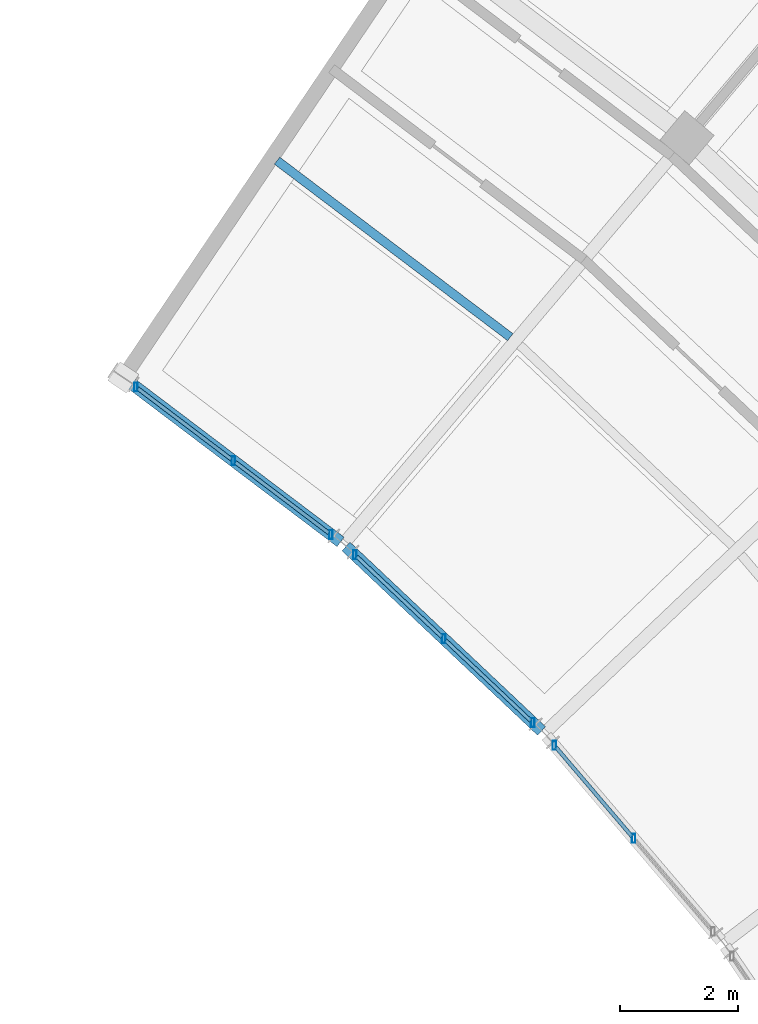
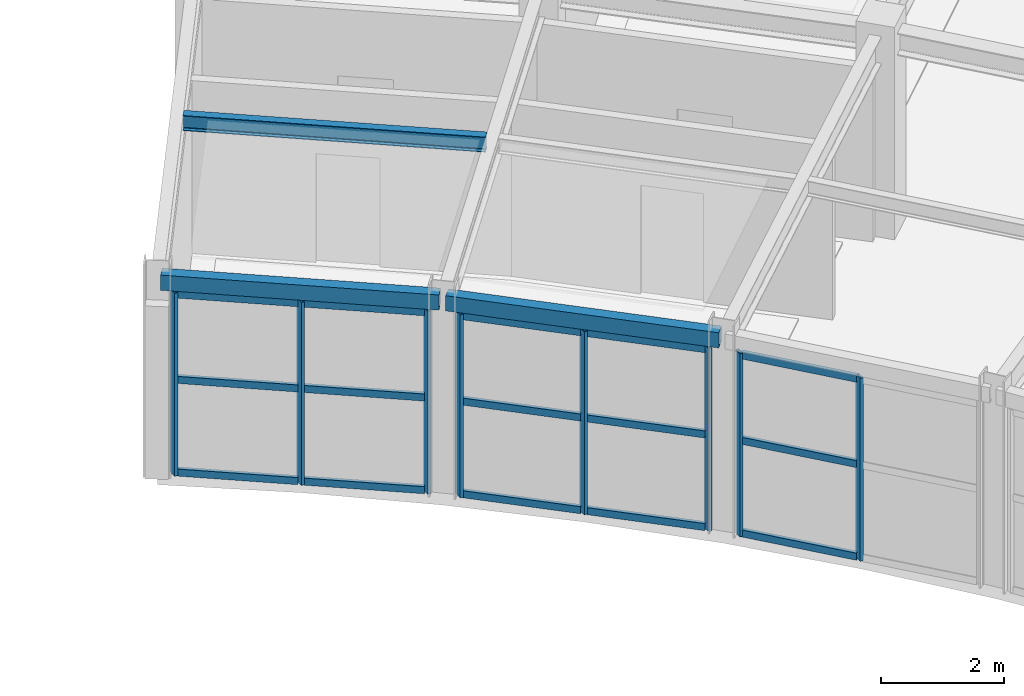
# One storey, part 8 of 29: 23 members, 3 beams, 3 elements without a shape of their own.
"""IFC4 building model written with IfcOpenShell, lengths in metres."""

from ifc_helpers import new_model, si_unit, direction, frame, origin, origin_2d, place, context, subcontext, project, spatial, hollow_rectangle, i_section, extrude, material, material_profile, profile_set, type_object, element, aggregate, save


model = new_model("IFC4")

# Units and contexts
model_context = context("Model", 3, precision=1e-05, world=origin(), true_north=direction((0.0, 1.0)))
body_context = subcontext(model_context, "Body", "Model", "MODEL_VIEW")
ifc_project = project(units=[si_unit("LENGTHUNIT", "METRE"), si_unit("AREAUNIT", "SQUARE_METRE"), si_unit("VOLUMEUNIT", "CUBIC_METRE"), si_unit("PLANEANGLEUNIT", "RADIAN"), si_unit("MASSUNIT", "GRAM", prefix="KILO")], contexts=[model_context])

# Site, building, storey
site_placement = place(None, origin())
site = spatial("IfcSite", under=ifc_project, at=site_placement, CompositionType="ELEMENT")
building_placement = place(site_placement, origin())
building = spatial("IfcBuilding", under=site, at=building_placement, Name="Tarnveldt Headland Concert Hall", CompositionType="ELEMENT")
storey_placement = place(building_placement, frame((0.0, 0.0, 18.60009765625)))
storey = spatial("IfcBuildingStorey", under=building, at=storey_placement, Name="L04", CompositionType="ELEMENT", Elevation=18.60009765625)

# Curtain wall, members
ifc_material_1 = material(Name="Marine-anodised aluminium EN AW-6063-T6", Category="aluminium")
curtain_wall_type = type_object("IfcCurtainWallType", Name="CW-C5", PredefinedType="NOTDEFINED", material=ifc_material_1)
curtain_wall_1_placement = place(storey_placement, origin())
curtain_wall_1 = element("IfcCurtainWall", 1, at=curtain_wall_1_placement, inside=storey, type_object=curtain_wall_type, Name="Curtain wall CW-L04-153", PredefinedType="NOTDEFINED")
ifc_material_profile_1 = material_profile(ifc_material_1, hollow_rectangle(XDim=0.06005859375, YDim=0.14990234375, WallThickness=0.00390625, at=origin_2d()), Name="ALU MULLION 60x150x4", Category="aluminium")
ifc_profile_set_1 = profile_set([ifc_material_profile_1], Name="Marine-anodised aluminium EN AW-6063-T6")
member_type_1 = type_object("IfcMemberType", Name="ML-150", PredefinedType="MULLION", material=ifc_profile_set_1)
member_1_placement = place(storey_placement, frame((150.17626953125, 87.853515625, 0.0), z_axis=(0.0, 0.0, 1.0), x_axis=(1.0, 0.0, 0.0)))
member_1 = element("IfcMember", 2, at=member_1_placement, type_object=member_type_1, Name="Mullion CW-L04-153-2", PredefinedType="MULLION", context=body_context, shape_type="SweptSolid", body=[
    extrude(hollow_rectangle(XDim=0.06005859375, YDim=0.14990234375, WallThickness=0.00390625, at=origin_2d()), origin(), (0.0, 0.0, 1.0), 3.619873046875),
])
member_2_placement = place(storey_placement, frame((148.834228515625, 89.427734375, 0.0), z_axis=(0.0, 0.0, 1.0), x_axis=(1.0, 0.0, 0.0)))
member_2 = element("IfcMember", 3, at=member_2_placement, type_object=member_type_1, Name="Mullion CW-L04-153-3", PredefinedType="MULLION", context=body_context, shape_type="SweptSolid", body=[
    extrude(hollow_rectangle(XDim=0.06005859375, YDim=0.14990234375, WallThickness=0.00390625, at=origin_2d()), origin(), (0.0, 0.0, 1.0), 3.619873046875),
])

curtain_wall_2_placement = place(storey_placement, origin())
curtain_wall_2 = element("IfcCurtainWall", 4, at=curtain_wall_2_placement, inside=storey, type_object=curtain_wall_type, Name="Curtain wall CW-L04-154", PredefinedType="NOTDEFINED")
member_3_placement = place(storey_placement, frame((148.469482421875, 89.811279296875, 0.0), z_axis=(0.0, 0.0, 1.0), x_axis=(1.0, 0.0, 0.0)))
member_3 = element("IfcMember", 5, at=member_3_placement, type_object=member_type_1, Name="Mullion CW-L04-154-1", PredefinedType="MULLION", context=body_context, shape_type="SweptSolid", body=[
    extrude(hollow_rectangle(XDim=0.06005859375, YDim=0.14990234375, WallThickness=0.00390625, at=origin_2d()), origin(), (0.0, 0.0, 1.0), 3.619873046875),
])
member_4_placement = place(storey_placement, frame((146.96484375, 91.23095703125, 0.0), z_axis=(0.0, 0.0, 1.0), x_axis=(1.0, 0.0, 0.0)))
member_4 = element("IfcMember", 6, at=member_4_placement, type_object=member_type_1, Name="Mullion CW-L04-154-2", PredefinedType="MULLION", context=body_context, shape_type="SweptSolid", body=[
    extrude(hollow_rectangle(XDim=0.06005859375, YDim=0.14990234375, WallThickness=0.00390625, at=origin_2d()), origin(), (0.0, 0.0, 1.0), 3.619873046875),
])
member_5_placement = place(storey_placement, frame((145.460205078125, 92.650634765625, 0.0), z_axis=(0.0, 0.0, 1.0), x_axis=(1.0, 0.0, 0.0)))
member_5 = element("IfcMember", 7, at=member_5_placement, type_object=member_type_1, Name="Mullion CW-L04-154-3", PredefinedType="MULLION", context=body_context, shape_type="SweptSolid", body=[
    extrude(hollow_rectangle(XDim=0.06005859375, YDim=0.14990234375, WallThickness=0.00390625, at=origin_2d()), origin(), (0.0, 0.0, 1.0), 3.619873046875),
])

curtain_wall_3_placement = place(storey_placement, origin())
curtain_wall_3 = element("IfcCurtainWall", 8, at=curtain_wall_3_placement, inside=storey, type_object=curtain_wall_type, Name="Curtain wall CW-L04-155", PredefinedType="NOTDEFINED")
member_6_placement = place(storey_placement, frame((145.05615234375, 92.992431640625, 0.0), z_axis=(0.0, 0.0, 1.0), x_axis=(1.0, 0.0, 0.0)))
member_6 = element("IfcMember", 9, at=member_6_placement, type_object=member_type_1, Name="Mullion CW-L04-155-1", PredefinedType="MULLION", context=body_context, shape_type="SweptSolid", body=[
    extrude(hollow_rectangle(XDim=0.06005859375, YDim=0.14990234375, WallThickness=0.00390625, at=origin_2d()), origin(), (0.0, 0.0, 1.0), 3.619873046875),
])
member_7_placement = place(storey_placement, frame((143.40625, 94.240478515625, 0.0), z_axis=(0.0, 0.0, 1.0), x_axis=(1.0, 0.0, 0.0)))
member_7 = element("IfcMember", 10, at=member_7_placement, type_object=member_type_1, Name="Mullion CW-L04-155-2", PredefinedType="MULLION", context=body_context, shape_type="SweptSolid", body=[
    extrude(hollow_rectangle(XDim=0.06005859375, YDim=0.14990234375, WallThickness=0.00390625, at=origin_2d()), origin(), (0.0, 0.0, 1.0), 3.619873046875),
])
member_8_placement = place(storey_placement, frame((141.756591796875, 95.48876953125, 0.0), z_axis=(0.0, 0.0, 1.0), x_axis=(1.0, 0.0, 0.0)))
member_8 = element("IfcMember", 11, at=member_8_placement, type_object=member_type_1, Name="Mullion CW-L04-155-3", PredefinedType="MULLION", context=body_context, shape_type="SweptSolid", body=[
    extrude(hollow_rectangle(XDim=0.06005859375, YDim=0.14990234375, WallThickness=0.00390625, at=origin_2d()), origin(), (0.0, 0.0, 1.0), 3.619873046875),
])

# Beams
ifc_material_2 = material(Name="Steel S355", Category="steel")
ifc_material_profile_2 = material_profile(ifc_material_2, i_section(OverallWidth=0.14990234375, OverallDepth=0.300048828125, WebThickness=0.007080078125, FlangeThickness=0.0107421875, FilletRadius=0.014892578125, at=origin_2d()), Name="IPE300", Category="steel")
ifc_profile_set_2 = profile_set([ifc_material_profile_2], Name="Steel S355")
beam_type_1 = type_object("IfcBeamType", Name="SB-IPE300", PredefinedType="JOIST", material=ifc_profile_set_2)
beam_1_placement = place(storey_placement, frame((148.089599609375, 96.331787109375, 3.829833984375), z_axis=(-0.79746351777, 0.603367166679, 0.0), x_axis=(-0.603367166679, -0.79746351777, 0.0)))
element("IfcBeam", 12, at=beam_1_placement, inside=storey, type_object=beam_type_1, Name="Framing beam L04-1416", PredefinedType="JOIST", context=body_context, shape_type="SweptSolid", body=[
    extrude(i_section(OverallWidth=0.14990234375, OverallDepth=0.300048828125, WebThickness=0.007080078125, FlangeThickness=0.0107421875, FilletRadius=0.014892578125, at=origin_2d()), origin(), (0.0, 0.0, 1.0), 4.94580078125),
])
ifc_material_profile_3 = material_profile(ifc_material_2, hollow_rectangle(XDim=0.199951171875, YDim=0.300048828125, WallThickness=0.012451171875, at=origin_2d()), Name="RHS 300x200x12.5", Category="steel")
ifc_profile_set_3 = profile_set([ifc_material_profile_3], Name="Steel S355")
beam_type_2 = type_object("IfcBeamType", Name="SB-RHS300", PredefinedType="SPANDREL", material=ifc_profile_set_3)
beam_2_placement = place(storey_placement, frame((148.618896484375, 89.670654296875, 3.829833984375), z_axis=(-0.72739567497, 0.686218283081, 0.0), x_axis=(-0.686218283081, -0.72739567497, 0.0)))
element("IfcBeam", 13, at=beam_2_placement, inside=storey, type_object=beam_type_2, Name="Framing beam L04-1406", PredefinedType="SPANDREL", context=body_context, shape_type="SweptSolid", body=[
    extrude(hollow_rectangle(XDim=0.199951171875, YDim=0.300048828125, WallThickness=0.012451171875, at=origin_2d()), origin(), (0.0, 0.0, 1.0), 4.547607421875),
])
beam_3_placement = place(storey_placement, frame((145.219482421875, 92.86865234375, 3.829833984375), z_axis=(-0.797480390637, 0.603344865355, 0.0), x_axis=(-0.603344865355, -0.797480390637, 0.0)))
element("IfcBeam", 14, at=beam_3_placement, inside=storey, type_object=beam_type_2, Name="Framing beam L04-1413", PredefinedType="SPANDREL", context=body_context, shape_type="SweptSolid", body=[
    extrude(hollow_rectangle(XDim=0.199951171875, YDim=0.300048828125, WallThickness=0.012451171875, at=origin_2d()), origin(), (0.0, 0.0, 1.0), 4.54736328125),
])

# Member
ifc_material_profile_4 = material_profile(ifc_material_1, hollow_rectangle(XDim=0.06494140625, YDim=0.139892578125, WallThickness=0.00390625, at=origin_2d()), Name="ALU TRANSOM 65x140x4", Category="aluminium")
ifc_profile_set_4 = profile_set([ifc_material_profile_4], Name="Marine-anodised aluminium EN AW-6063-T6")
member_type_2 = type_object("IfcMemberType", Name="TR-140", PredefinedType="MEMBER", material=ifc_profile_set_4)
member_9_placement = place(storey_placement, frame((150.149169921875, 87.885498046875, 0.0498046875), z_axis=(-0.648783227656, 0.760973273849, 0.0), x_axis=(-0.760973273849, -0.648783227656, 0.0)))
member_9 = element("IfcMember", 15, at=member_9_placement, type_object=member_type_2, Name="Transom CW-L04-153-2-1", PredefinedType="MEMBER", context=body_context, shape_type="SweptSolid", body=[
    extrude(hollow_rectangle(XDim=0.06494140625, YDim=0.139892578125, WallThickness=0.00390625, at=origin_2d()), origin(), (0.0, 0.0, 1.0), 1.984619140625),
])

member_10_placement = place(storey_placement, frame((150.149169921875, 87.885498046875, 1.88232421875), z_axis=(-0.648783227656, 0.760973273849, 0.0), x_axis=(-0.760973273849, -0.648783227656, 0.0)))
member_10 = element("IfcMember", 16, at=member_10_placement, type_object=member_type_2, Name="Transom CW-L04-153-2-2", PredefinedType="MEMBER", context=body_context, shape_type="SweptSolid", body=[
    extrude(hollow_rectangle(XDim=0.06494140625, YDim=0.139892578125, WallThickness=0.00390625, at=origin_2d()), origin(), (0.0, 0.0, 1.0), 1.984619140625),
])

member_11_placement = place(storey_placement, frame((150.149169921875, 87.885498046875, 3.56982421875), z_axis=(-0.648783227656, 0.760973273849, 0.0), x_axis=(-0.760973273849, -0.648783227656, 0.0)))
member_11 = element("IfcMember", 17, at=member_11_placement, type_object=member_type_2, Name="Transom CW-L04-153-2-3", PredefinedType="MEMBER", context=body_context, shape_type="SweptSolid", body=[
    extrude(hollow_rectangle(XDim=0.06494140625, YDim=0.139892578125, WallThickness=0.00390625, at=origin_2d()), origin(), (0.0, 0.0, 1.0), 1.984619140625),
])

aggregate(curtain_wall_1, [member_1, member_2, member_9, member_10, member_11])

member_12_placement = place(storey_placement, frame((148.439208984375, 89.840087890625, 0.0498046875), z_axis=(-0.727408711392, 0.686204464129, 0.0), x_axis=(-0.686204464129, -0.727408711392, 0.0)))
member_12 = element("IfcMember", 18, at=member_12_placement, type_object=member_type_2, Name="Transom CW-L04-154-1-1", PredefinedType="MEMBER", context=body_context, shape_type="SweptSolid", body=[
    extrude(hollow_rectangle(XDim=0.06494140625, YDim=0.139892578125, WallThickness=0.00390625, at=origin_2d()), origin(), (0.0, 0.0, 1.0), 1.98486328125),
])

member_13_placement = place(storey_placement, frame((148.439208984375, 89.840087890625, 1.88232421875), z_axis=(-0.727408711392, 0.686204464129, 0.0), x_axis=(-0.686204464129, -0.727408711392, 0.0)))
member_13 = element("IfcMember", 19, at=member_13_placement, type_object=member_type_2, Name="Transom CW-L04-154-1-2", PredefinedType="MEMBER", context=body_context, shape_type="SweptSolid", body=[
    extrude(hollow_rectangle(XDim=0.06494140625, YDim=0.139892578125, WallThickness=0.00390625, at=origin_2d()), origin(), (0.0, 0.0, 1.0), 1.98486328125),
])

member_14_placement = place(storey_placement, frame((148.439208984375, 89.840087890625, 3.56982421875), z_axis=(-0.727408711392, 0.686204464129, 0.0), x_axis=(-0.686204464129, -0.727408711392, 0.0)))
member_14 = element("IfcMember", 20, at=member_14_placement, type_object=member_type_2, Name="Transom CW-L04-154-1-3", PredefinedType="MEMBER", context=body_context, shape_type="SweptSolid", body=[
    extrude(hollow_rectangle(XDim=0.06494140625, YDim=0.139892578125, WallThickness=0.00390625, at=origin_2d()), origin(), (0.0, 0.0, 1.0), 1.98486328125),
])

member_15_placement = place(storey_placement, frame((146.934326171875, 91.259765625, 0.0498046875), z_axis=(-0.727350786859, 0.686265861642, 0.0), x_axis=(-0.686265861642, -0.727350786859, 0.0)))
member_15 = element("IfcMember", 21, at=member_15_placement, type_object=member_type_2, Name="Transom CW-L04-154-2-1", PredefinedType="MEMBER", context=body_context, shape_type="SweptSolid", body=[
    extrude(hollow_rectangle(XDim=0.06494140625, YDim=0.139892578125, WallThickness=0.00390625, at=origin_2d()), origin(), (0.0, 0.0, 1.0), 1.98486328125),
])

member_16_placement = place(storey_placement, frame((146.934326171875, 91.259765625, 1.88232421875), z_axis=(-0.727350786859, 0.686265861642, 0.0), x_axis=(-0.686265861642, -0.727350786859, 0.0)))
member_16 = element("IfcMember", 22, at=member_16_placement, type_object=member_type_2, Name="Transom CW-L04-154-2-2", PredefinedType="MEMBER", context=body_context, shape_type="SweptSolid", body=[
    extrude(hollow_rectangle(XDim=0.06494140625, YDim=0.139892578125, WallThickness=0.00390625, at=origin_2d()), origin(), (0.0, 0.0, 1.0), 1.98486328125),
])

member_17_placement = place(storey_placement, frame((146.934326171875, 91.259765625, 3.56982421875), z_axis=(-0.727350786859, 0.686265861642, 0.0), x_axis=(-0.686265861642, -0.727350786859, 0.0)))
member_17 = element("IfcMember", 23, at=member_17_placement, type_object=member_type_2, Name="Transom CW-L04-154-2-3", PredefinedType="MEMBER", context=body_context, shape_type="SweptSolid", body=[
    extrude(hollow_rectangle(XDim=0.06494140625, YDim=0.139892578125, WallThickness=0.00390625, at=origin_2d()), origin(), (0.0, 0.0, 1.0), 1.98486328125),
])

aggregate(curtain_wall_2, [member_3, member_4, member_5, member_12, member_13, member_14, member_15, member_16, member_17])

member_18_placement = place(storey_placement, frame((145.022705078125, 93.017578125, 0.0498046875), z_axis=(-0.797513545651, 0.6033010397, 0.0), x_axis=(-0.6033010397, -0.797513545651, 0.0)))
member_18 = element("IfcMember", 24, at=member_18_placement, type_object=member_type_2, Name="Transom CW-L04-155-1-1", PredefinedType="MEMBER", context=body_context, shape_type="SweptSolid", body=[
    extrude(hollow_rectangle(XDim=0.06494140625, YDim=0.139892578125, WallThickness=0.00390625, at=origin_2d()), origin(), (0.0, 0.0, 1.0), 1.98486328125),
])

member_19_placement = place(storey_placement, frame((145.022705078125, 93.017578125, 1.88232421875), z_axis=(-0.797513545651, 0.6033010397, 0.0), x_axis=(-0.6033010397, -0.797513545651, 0.0)))
member_19 = element("IfcMember", 25, at=member_19_placement, type_object=member_type_2, Name="Transom CW-L04-155-1-2", PredefinedType="MEMBER", context=body_context, shape_type="SweptSolid", body=[
    extrude(hollow_rectangle(XDim=0.06494140625, YDim=0.139892578125, WallThickness=0.00390625, at=origin_2d()), origin(), (0.0, 0.0, 1.0), 1.98486328125),
])

member_20_placement = place(storey_placement, frame((145.022705078125, 93.017578125, 3.56982421875), z_axis=(-0.797513545651, 0.6033010397, 0.0), x_axis=(-0.6033010397, -0.797513545651, 0.0)))
member_20 = element("IfcMember", 26, at=member_20_placement, type_object=member_type_2, Name="Transom CW-L04-155-1-3", PredefinedType="MEMBER", context=body_context, shape_type="SweptSolid", body=[
    extrude(hollow_rectangle(XDim=0.06494140625, YDim=0.139892578125, WallThickness=0.00390625, at=origin_2d()), origin(), (0.0, 0.0, 1.0), 1.98486328125),
])

member_21_placement = place(storey_placement, frame((143.372802734375, 94.265869140625, 0.0498046875), z_axis=(-0.797468771525, 0.603360222787, 0.0), x_axis=(-0.603360222787, -0.797468771525, 0.0)))
member_21 = element("IfcMember", 27, at=member_21_placement, type_object=member_type_2, Name="Transom CW-L04-155-2-1", PredefinedType="MEMBER", context=body_context, shape_type="SweptSolid", body=[
    extrude(hollow_rectangle(XDim=0.06494140625, YDim=0.139892578125, WallThickness=0.00390625, at=origin_2d()), origin(), (0.0, 0.0, 1.0), 1.984619140625),
])

member_22_placement = place(storey_placement, frame((143.372802734375, 94.265869140625, 1.88232421875), z_axis=(-0.797468771525, 0.603360222787, 0.0), x_axis=(-0.603360222787, -0.797468771525, 0.0)))
member_22 = element("IfcMember", 28, at=member_22_placement, type_object=member_type_2, Name="Transom CW-L04-155-2-2", PredefinedType="MEMBER", context=body_context, shape_type="SweptSolid", body=[
    extrude(hollow_rectangle(XDim=0.06494140625, YDim=0.139892578125, WallThickness=0.00390625, at=origin_2d()), origin(), (0.0, 0.0, 1.0), 1.984619140625),
])

member_23_placement = place(storey_placement, frame((143.372802734375, 94.265869140625, 3.56982421875), z_axis=(-0.797468771525, 0.603360222787, 0.0), x_axis=(-0.603360222787, -0.797468771525, 0.0)))
member_23 = element("IfcMember", 29, at=member_23_placement, type_object=member_type_2, Name="Transom CW-L04-155-2-3", PredefinedType="MEMBER", context=body_context, shape_type="SweptSolid", body=[
    extrude(hollow_rectangle(XDim=0.06494140625, YDim=0.139892578125, WallThickness=0.00390625, at=origin_2d()), origin(), (0.0, 0.0, 1.0), 1.984619140625),
])

aggregate(curtain_wall_3, [member_6, member_7, member_8, member_18, member_19, member_20, member_21, member_22, member_23])

save(model, "model.ifc")
